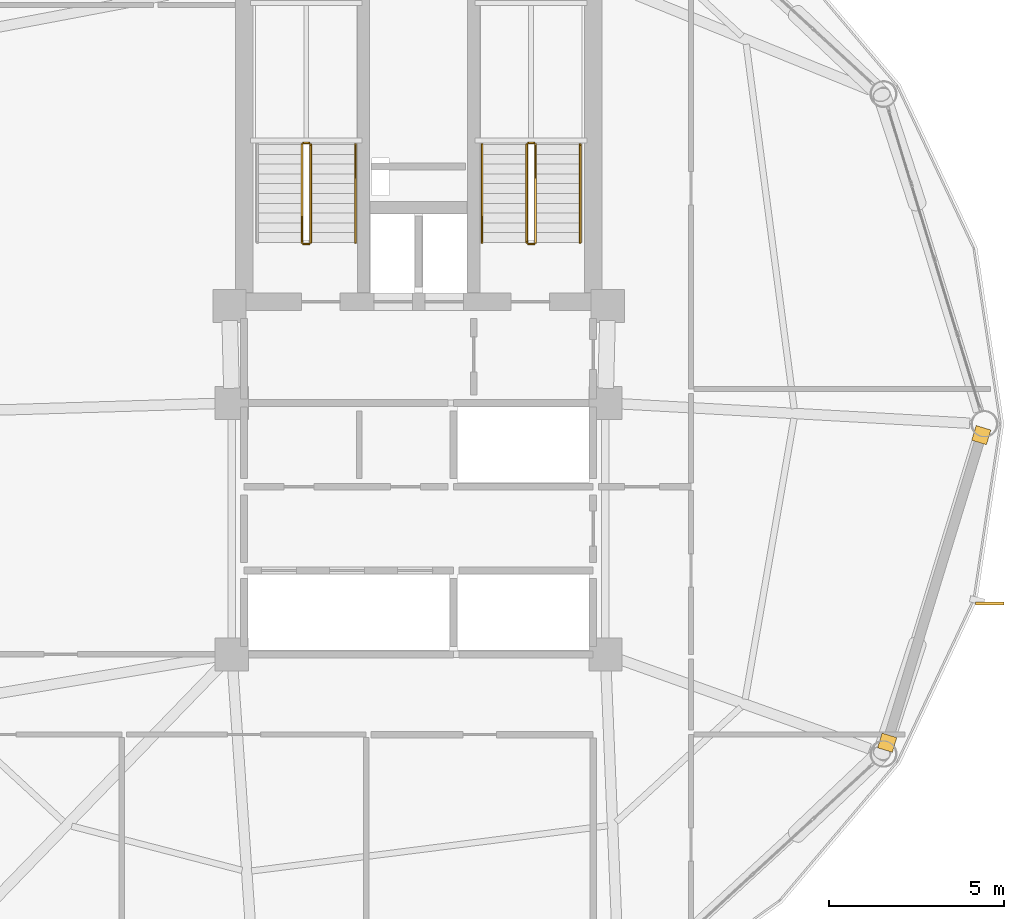
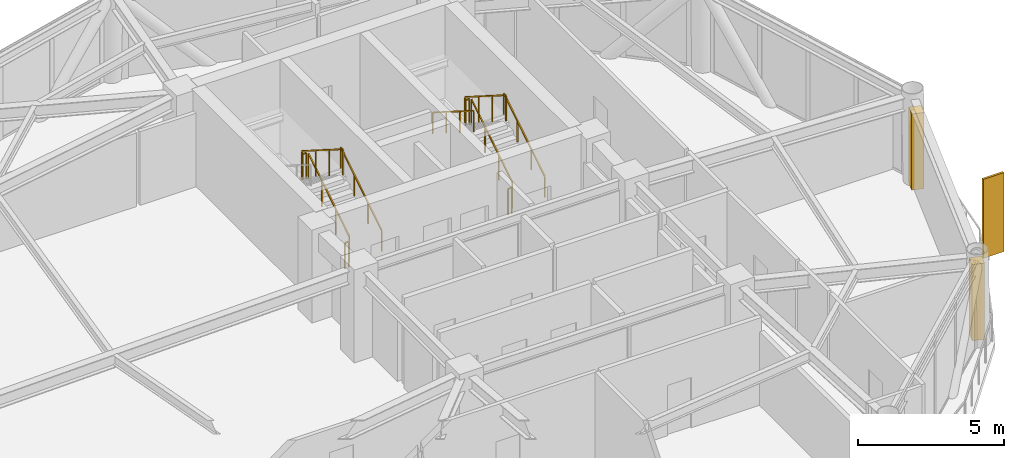
# One storey, part 25 of 26: 11 railings, 2 coverings, 1 shading device.
"""IFC4 building model written with IfcOpenShell, lengths in metres."""

from ifc_helpers import new_model, si_unit, direction, frame, origin, origin_2d, place, context, subcontext, project, spatial, rectangle, extrude, source, transform, mapped, material, layer, layer_set, type_object, type_shapes, element, save


model = new_model("IFC4")

# Units and contexts
model_context = context("Model", 3, precision=1e-05, world=origin(), true_north=direction((0.0, 1.0)))
body_context = subcontext(model_context, "Body", "Model", "MODEL_VIEW")
ifc_project = project(units=[si_unit("LENGTHUNIT", "METRE"), si_unit("AREAUNIT", "SQUARE_METRE"), si_unit("VOLUMEUNIT", "CUBIC_METRE"), si_unit("PLANEANGLEUNIT", "RADIAN"), si_unit("MASSUNIT", "GRAM", prefix="KILO")], contexts=[model_context])

# Site, building, storey
site_placement = place(None, origin())
site = spatial("IfcSite", under=ifc_project, at=site_placement, CompositionType="ELEMENT")
building_placement = place(site_placement, origin())
building = spatial("IfcBuilding", under=site, at=building_placement, Name="Varnakorn Sky Granary", CompositionType="ELEMENT")
storey_placement = place(building_placement, frame((0.0, 0.0, 153.89990234375)))
storey = spatial("IfcBuildingStorey", under=building, at=storey_placement, Name="L38", CompositionType="ELEMENT", Elevation=153.89990234375)

# Railings
ifc_material_1 = material(Name="Brushed Stainless Steel 316", Category="steel")
railing_type_1 = type_object("IfcRailingType", Name="RL-STAIR-1100", PredefinedType="GUARDRAIL", material=ifc_material_1)
railing_1_placement = place(storey_placement, frame((-0.090087890625, 5.199951171875, 0.177490234375)))
element("IfcRailing", 1, at=railing_1_placement, inside=storey, type_object=railing_type_1, Name="L38 ST-1 stair guard 1", PredefinedType="GUARDRAIL", context=body_context, shape_type="SweptSolid", body=[
    extrude(rectangle(XDim=0.048095703125, YDim=0.048095703125, at=origin_2d()), frame((0.0, 0.0, 1.076171875), z_axis=(0.0, 0.844908973607, 0.534910110503), x_axis=(-1.0, 0.0, 0.0)), (0.0, 0.0, 1.0), 3.31396484375),
    extrude(rectangle(XDim=0.0419921875, YDim=0.0419921875, at=origin_2d()), origin(), (0.0, 0.0, 1.0), 1.048095703125),
    extrude(rectangle(XDim=0.0419921875, YDim=0.0419921875, at=origin_2d()), frame((0.0, 0.933349609375, 0.5908203125)), (0.0, 0.0, 1.0), 1.048095703125),
    extrude(rectangle(XDim=0.0419921875, YDim=0.0419921875, at=origin_2d()), frame((0.0, 1.86669921875, 1.181884765625)), (0.0, 0.0, 1.0), 1.048095703125),
    extrude(rectangle(XDim=0.0419921875, YDim=0.0419921875, at=origin_2d()), frame((0.0, 2.800048828125, 1.772705078125)), (0.0, 0.0, 1.0), 1.048095703125),
])
railing_2_placement = place(storey_placement, frame((-0.139892578125, 8.050048828125, 1.9501953125)))
element("IfcRailing", 2, at=railing_2_placement, inside=storey, type_object=railing_type_1, Name="L38 ST-1 stair guard 2", PredefinedType="GUARDRAIL", context=body_context, shape_type="SweptSolid", body=[
    extrude(rectangle(XDim=0.048095703125, YDim=0.048095703125, at=origin_2d()), frame((0.0, 0.0, 1.076171875), z_axis=(-1.0, 0.0, 0.0), x_axis=(0.0, -1.0, 0.0)), (0.0, 0.0, 1.0), 0.150146484375),
    extrude(rectangle(XDim=0.0419921875, YDim=0.0419921875, at=origin_2d()), origin(), (0.0, 0.0, 1.0), 1.048095703125),
    extrude(rectangle(XDim=0.0419921875, YDim=0.0419921875, at=origin_2d()), frame((-0.150146484375, 0.0, 0.0)), (0.0, 0.0, 1.0), 1.048095703125),
])
railing_3_placement = place(storey_placement, frame((-0.340087890625, 8.0, 2.12744140625)))
element("IfcRailing", 3, at=railing_3_placement, inside=storey, type_object=railing_type_1, Name="L38 ST-1 stair guard 3", PredefinedType="GUARDRAIL", context=body_context, shape_type="SweptSolid", body=[
    extrude(rectangle(XDim=0.048095703125, YDim=0.048095703125, at=origin_2d()), frame((0.0, 0.0, 1.076171875), z_axis=(0.0, -0.844908973607, 0.534910110503), x_axis=(1.0, 0.0, 0.0)), (0.0, 0.0, 1.0), 3.31396484375),
    extrude(rectangle(XDim=0.0419921875, YDim=0.0419921875, at=origin_2d()), origin(), (0.0, 0.0, 1.0), 1.048095703125),
    extrude(rectangle(XDim=0.0419921875, YDim=0.0419921875, at=origin_2d()), frame((0.0, -0.933349609375, 0.5908203125)), (0.0, 0.0, 1.0), 1.048095703125),
    extrude(rectangle(XDim=0.0419921875, YDim=0.0419921875, at=origin_2d()), frame((0.0, -1.86669921875, 1.181884765625)), (0.0, 0.0, 1.0), 1.048095703125),
    extrude(rectangle(XDim=0.0419921875, YDim=0.0419921875, at=origin_2d()), frame((0.0, -2.800048828125, 1.772705078125)), (0.0, 0.0, 1.0), 1.048095703125),
])
railing_4_placement = place(storey_placement, frame((-0.139892578125, 5.14990234375, 0.0)))
element("IfcRailing", 4, at=railing_4_placement, inside=storey, type_object=railing_type_1, Name="L38 ST-1 stair guard 4", PredefinedType="GUARDRAIL", context=body_context, shape_type="SweptSolid", body=[
    extrude(rectangle(XDim=0.048095703125, YDim=0.048095703125, at=origin_2d()), frame((0.0, 0.0, 1.076171875), z_axis=(-1.0, 0.0, 0.0), x_axis=(0.0, -1.0, 0.0)), (0.0, 0.0, 1.0), 0.150146484375),
    extrude(rectangle(XDim=0.0419921875, YDim=0.0419921875, at=origin_2d()), origin(), (0.0, 0.0, 1.0), 1.048095703125),
    extrude(rectangle(XDim=0.0419921875, YDim=0.0419921875, at=origin_2d()), frame((-0.150146484375, 0.0, 0.0)), (0.0, 0.0, 1.0), 1.048095703125),
])
railing_5_placement = place(storey_placement, frame((6.35009765625, 5.199951171875, 0.177490234375)))
element("IfcRailing", 5, at=railing_5_placement, inside=storey, type_object=railing_type_1, Name="L38 ST-2 stair guard 1", PredefinedType="GUARDRAIL", context=body_context, shape_type="SweptSolid", body=[
    extrude(rectangle(XDim=0.048095703125, YDim=0.048095703125, at=origin_2d()), frame((0.0, 0.0, 1.076171875), z_axis=(0.0, 0.844908973607, 0.534910110503), x_axis=(-1.0, 0.0, 0.0)), (0.0, 0.0, 1.0), 3.31396484375),
    extrude(rectangle(XDim=0.0419921875, YDim=0.0419921875, at=origin_2d()), origin(), (0.0, 0.0, 1.0), 1.048095703125),
    extrude(rectangle(XDim=0.0419921875, YDim=0.0419921875, at=origin_2d()), frame((0.0, 0.933349609375, 0.5908203125)), (0.0, 0.0, 1.0), 1.048095703125),
    extrude(rectangle(XDim=0.0419921875, YDim=0.0419921875, at=origin_2d()), frame((0.0, 1.86669921875, 1.181884765625)), (0.0, 0.0, 1.0), 1.048095703125),
    extrude(rectangle(XDim=0.0419921875, YDim=0.0419921875, at=origin_2d()), frame((0.0, 2.800048828125, 1.772705078125)), (0.0, 0.0, 1.0), 1.048095703125),
])
railing_6_placement = place(storey_placement, frame((6.300048828125, 8.050048828125, 1.9501953125)))
element("IfcRailing", 6, at=railing_6_placement, inside=storey, type_object=railing_type_1, Name="L38 ST-2 stair guard 2", PredefinedType="GUARDRAIL", context=body_context, shape_type="SweptSolid", body=[
    extrude(rectangle(XDim=0.048095703125, YDim=0.048095703125, at=origin_2d()), frame((0.0, 0.0, 1.076171875), z_axis=(-1.0, 0.0, 0.0), x_axis=(0.0, -1.0, 0.0)), (0.0, 0.0, 1.0), 0.150146484375),
    extrude(rectangle(XDim=0.0419921875, YDim=0.0419921875, at=origin_2d()), origin(), (0.0, 0.0, 1.0), 1.048095703125),
    extrude(rectangle(XDim=0.0419921875, YDim=0.0419921875, at=origin_2d()), frame((-0.150146484375, 0.0, 0.0)), (0.0, 0.0, 1.0), 1.048095703125),
])
railing_7_placement = place(storey_placement, frame((6.10009765625, 8.0, 2.12744140625)))
element("IfcRailing", 7, at=railing_7_placement, inside=storey, type_object=railing_type_1, Name="L38 ST-2 stair guard 3", PredefinedType="GUARDRAIL", context=body_context, shape_type="SweptSolid", body=[
    extrude(rectangle(XDim=0.048095703125, YDim=0.048095703125, at=origin_2d()), frame((0.0, 0.0, 1.076171875), z_axis=(0.0, -0.844908973607, 0.534910110503), x_axis=(1.0, 0.0, 0.0)), (0.0, 0.0, 1.0), 3.31396484375),
    extrude(rectangle(XDim=0.0419921875, YDim=0.0419921875, at=origin_2d()), origin(), (0.0, 0.0, 1.0), 1.048095703125),
    extrude(rectangle(XDim=0.0419921875, YDim=0.0419921875, at=origin_2d()), frame((0.0, -0.933349609375, 0.5908203125)), (0.0, 0.0, 1.0), 1.048095703125),
    extrude(rectangle(XDim=0.0419921875, YDim=0.0419921875, at=origin_2d()), frame((0.0, -1.86669921875, 1.181884765625)), (0.0, 0.0, 1.0), 1.048095703125),
    extrude(rectangle(XDim=0.0419921875, YDim=0.0419921875, at=origin_2d()), frame((0.0, -2.800048828125, 1.772705078125)), (0.0, 0.0, 1.0), 1.048095703125),
])
railing_8_placement = place(storey_placement, frame((6.300048828125, 5.14990234375, 0.0)))
element("IfcRailing", 8, at=railing_8_placement, inside=storey, type_object=railing_type_1, Name="L38 ST-2 stair guard 4", PredefinedType="GUARDRAIL", context=body_context, shape_type="SweptSolid", body=[
    extrude(rectangle(XDim=0.048095703125, YDim=0.048095703125, at=origin_2d()), frame((0.0, 0.0, 1.076171875), z_axis=(-1.0, 0.0, 0.0), x_axis=(0.0, -1.0, 0.0)), (0.0, 0.0, 1.0), 0.150146484375),
    extrude(rectangle(XDim=0.0419921875, YDim=0.0419921875, at=origin_2d()), origin(), (0.0, 0.0, 1.0), 1.048095703125),
    extrude(rectangle(XDim=0.0419921875, YDim=0.0419921875, at=origin_2d()), frame((-0.150146484375, 0.0, 0.0)), (0.0, 0.0, 1.0), 1.048095703125),
])
railing_type_2 = type_object("IfcRailingType", Name="RL-STAIR-920", PredefinedType="HANDRAIL", material=ifc_material_1)
for number, where, name in (
    (9, (1.18994140625, 5.199951171875, 0.177490234375), "L38 ST-1 stair handrail 1"),
    (10, (7.6298828125, 5.199951171875, 0.177490234375), "L38 ST-2 stair handrail 1"),
):
    element("IfcRailing", number, at=place(storey_placement, frame(where)), inside=storey, type_object=railing_type_2, Name=name, PredefinedType="HANDRAIL", context=body_context, shape_type="SweptSolid", body=[
        extrude(rectangle(XDim=0.048095703125, YDim=0.048095703125, at=origin_2d()), frame((0.0, 0.0, 0.8759765625), z_axis=(0.0, 0.844908973607, 0.534910110503), x_axis=(-1.0, 0.0, 0.0)), (0.0, 0.0, 1.0), 3.31396484375),
        extrude(rectangle(XDim=0.0419921875, YDim=0.0419921875, at=origin_2d()), origin(), (0.0, 0.0, 1.0), 0.847900390625),
        extrude(rectangle(XDim=0.0419921875, YDim=0.0419921875, at=origin_2d()), frame((0.0, 0.933349609375, 0.5908203125)), (0.0, 0.0, 1.0), 0.847900390625),
        extrude(rectangle(XDim=0.0419921875, YDim=0.0419921875, at=origin_2d()), frame((0.0, 1.86669921875, 1.181884765625)), (0.0, 0.0, 1.0), 0.847900390625),
        extrude(rectangle(XDim=0.0419921875, YDim=0.0419921875, at=origin_2d()), frame((0.0, 2.800048828125, 1.772705078125)), (0.0, 0.0, 1.0), 0.847900390625),
    ])
railing_9_placement = place(storey_placement, frame((4.820068359375, 8.0, 2.12744140625)))
element("IfcRailing", 11, at=railing_9_placement, inside=storey, type_object=railing_type_2, Name="L38 ST-2 stair handrail 2", PredefinedType="HANDRAIL", context=body_context, shape_type="SweptSolid", body=[
    extrude(rectangle(XDim=0.048095703125, YDim=0.048095703125, at=origin_2d()), frame((0.0, 0.0, 0.8759765625), z_axis=(0.0, -0.844908973607, 0.534910110503), x_axis=(1.0, 0.0, 0.0)), (0.0, 0.0, 1.0), 3.31396484375),
    extrude(rectangle(XDim=0.0419921875, YDim=0.0419921875, at=origin_2d()), origin(), (0.0, 0.0, 1.0), 0.847900390625),
    extrude(rectangle(XDim=0.0419921875, YDim=0.0419921875, at=origin_2d()), frame((0.0, -0.933349609375, 0.5908203125)), (0.0, 0.0, 1.0), 0.847900390625),
    extrude(rectangle(XDim=0.0419921875, YDim=0.0419921875, at=origin_2d()), frame((0.0, -1.86669921875, 1.181884765625)), (0.0, 0.0, 1.0), 0.847900390625),
    extrude(rectangle(XDim=0.0419921875, YDim=0.0419921875, at=origin_2d()), frame((0.0, -2.800048828125, 1.772705078125)), (0.0, 0.0, 1.0), 0.847900390625),
])

# Shading device
ifc_material_2 = material(Name="Anodised Bronze Aluminium Alloy 6063-T6", Category="aluminium")
shading_device_type = type_object("IfcShadingDeviceType", Name="SH-FIN-02", PredefinedType="USERDEFINED", material=ifc_material_2)
shared_shape_1 = source(origin(), body_context, "Body", "SweptSolid", [
    extrude(rectangle(XDim=0.0849609375, YDim=0.820068359375, at=origin_2d()), origin(), (0.0, 0.0, 1.0), 3.300048828125),
])
type_shapes(shading_device_type, [shared_shape_1])
shading_device_placement = place(storey_placement, frame((19.358642578125, -5.14501953125, -0.0400390625), z_axis=(0.0, 0.0, 1.0), x_axis=(-0.005392815176, 0.999985458667, 0.0)))
element("IfcShadingDevice", 12, at=shading_device_placement, inside=storey, type_object=shading_device_type, Name="Bronze Solar-Tracking Vertical Blade FIN L38-12", ObjectType="FIN", PredefinedType="USERDEFINED", context=body_context, shape_type="MappedRepresentation", body=[
    mapped(shared_shape_1, transform((0.0, 0.0, 0.0), x_axis=(1.0, 0.0, 0.0), y_axis=(0.0, 1.0, 0.0), z_axis=(0.0, 0.0, 1.0), scale=1.0)),
])

# Coverings
ifc_layer = layer(ifc_material_2, 0.050048828125, Name="Anodised Bronze Aluminium Alloy 6063-T6")
ifc_layer_set = layer_set([ifc_layer], Name="Anodised Bronze Aluminium Alloy 6063-T6")
covering_type = type_object("IfcCoveringType", Name="CV-CLAD-50", PredefinedType="CLADDING", material=ifc_layer_set)
shared_shape_2 = source(origin(), body_context, "Body", "SweptSolid", [
    extrude(rectangle(XDim=0.43994140625, YDim=0.43994140625, at=origin_2d()), origin(), (0.0, 0.0, 1.0), 3.179931640625),
])
type_shapes(covering_type, [shared_shape_2])
for number, where, z_axis, x_axis, name in (
    (13, (19.11865234375, -0.3212890625, -0.02001953125), (0.0, 0.0, 1.0), (-0.292538606935, -0.956253712909, 0.0), "Bronze Corner Pilaster Closure L38-P12-A"),
    (14, (16.4228515625, -9.131103515625, -0.02001953125), (0.0, 0.0, 1.0), (-0.292538606935, -0.956253712909, 0.0), "Bronze Corner Pilaster Closure L38-P12-B"),
):
    element("IfcCovering", number, at=place(storey_placement, frame(where, z_axis=z_axis, x_axis=x_axis)), inside=storey, type_object=covering_type, Name=name, PredefinedType="CLADDING", context=body_context, shape_type="MappedRepresentation", body=[
        mapped(shared_shape_2, transform((0.0, 0.0, 0.0), x_axis=(1.0, 0.0, 0.0), y_axis=(0.0, 1.0, 0.0), z_axis=(0.0, 0.0, 1.0), scale=1.0)),
    ])

save(model, "model.ifc")
